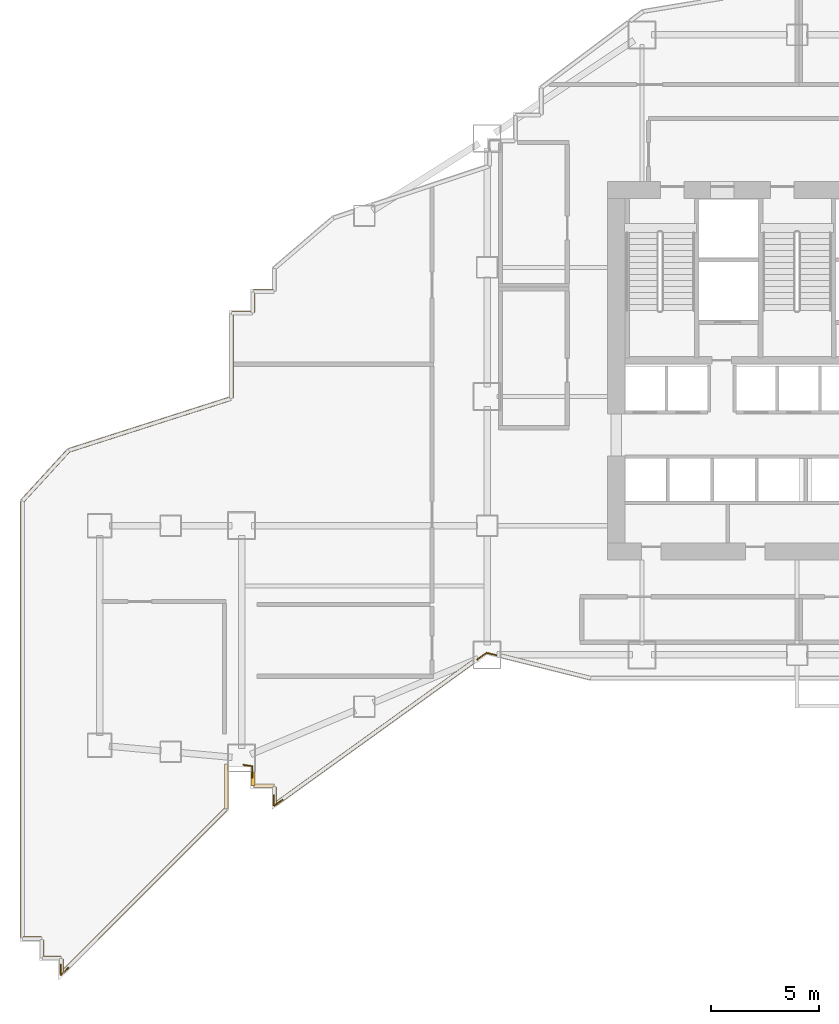
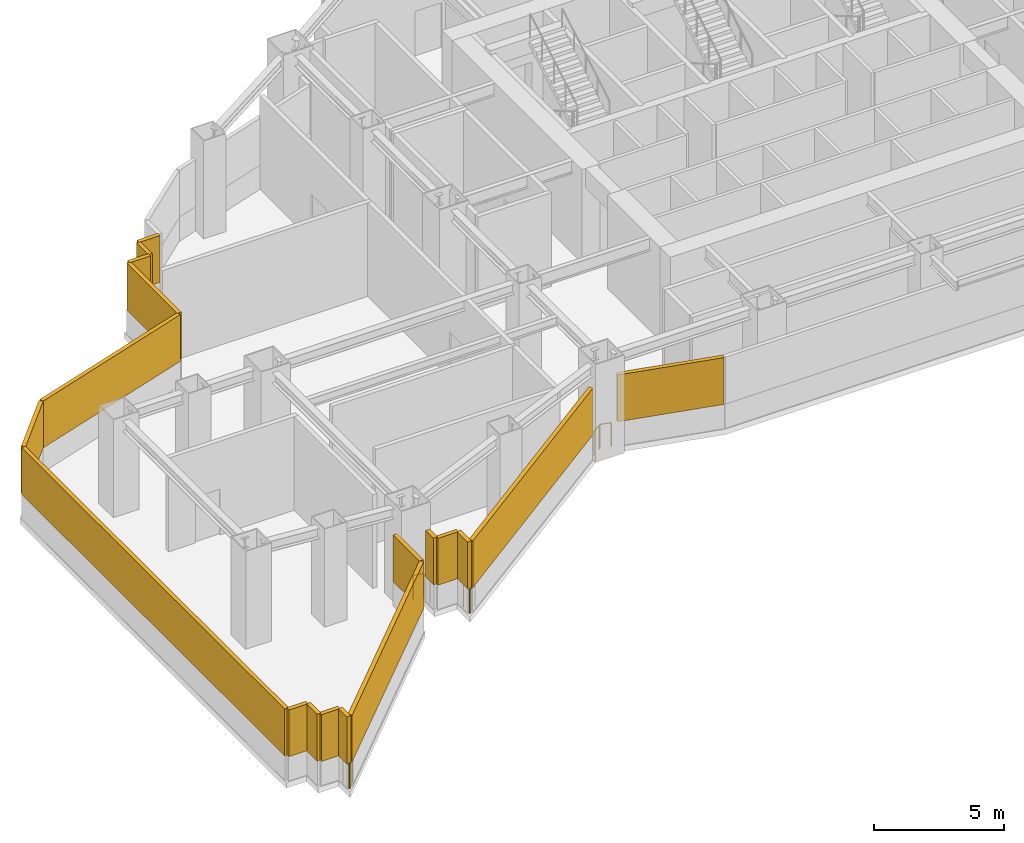
# One storey, part 6 of 12: 18 shading devices, 8 railings.
"""IFC4 building model written with IfcOpenShell, lengths in metres."""

from ifc_helpers import new_model, si_unit, direction, frame, origin, origin_2d, place, context, subcontext, project, spatial, rectangle, circle, extrude, material, type_object, element, save


model = new_model("IFC4")

# Units and contexts
model_context = context("Model", 3, precision=1e-05, world=origin(), true_north=direction((0.0, 1.0)))
body_context = subcontext(model_context, "Body", "Model", "MODEL_VIEW")
ifc_project = project(units=[si_unit("LENGTHUNIT", "METRE"), si_unit("AREAUNIT", "SQUARE_METRE"), si_unit("VOLUMEUNIT", "CUBIC_METRE"), si_unit("PLANEANGLEUNIT", "RADIAN"), si_unit("MASSUNIT", "GRAM", prefix="KILO")], contexts=[model_context])

# Site, building, storey
site_placement = place(None, origin())
site = spatial("IfcSite", under=ifc_project, at=site_placement, CompositionType="ELEMENT")
building_placement = place(site_placement, origin())
building = spatial("IfcBuilding", under=site, at=building_placement, Name="Haolan Belvedere Tower", CompositionType="ELEMENT")
storey_placement = place(building_placement, frame((0.0, 0.0, 43.0)))
storey = spatial("IfcBuildingStorey", under=building, at=storey_placement, Name="L10", CompositionType="ELEMENT", Elevation=43.0)

# Railings
ifc_material_1 = material(Name="Galvanised powder-coated steel guardrail", Category="steel")
railing_type = type_object("IfcRailingType", Name="RL-REF-GRD-1150", PredefinedType="GUARDRAIL", material=ifc_material_1)
railing_1_placement = place(storey_placement, frame((4.54345703125, 7.06591796875, 0.0)))
element("IfcRailing", 1, at=railing_1_placement, inside=storey, type_object=railing_type, Name="L10 refuge corner safety guardrail 1A", PredefinedType="GUARDRAIL", context=body_context, shape_type="SweptSolid", body=[
    extrude(circle(Radius=0.02392578125, at=origin_2d()), frame((0.0, 0.0, 1.1259765625), z_axis=(-0.707106781187, -0.707106781187, 0.0), x_axis=(0.707106781187, -0.707106781187, 0.0)), (0.0, 0.0, 1.0), 0.469970703125),
    extrude(circle(Radius=0.02099609375, at=origin_2d()), origin(), (0.0, 0.0, 1.0), 1.101806640625),
    extrude(circle(Radius=0.02099609375, at=origin_2d()), frame((-0.332275390625, -0.332275390625, 0.0)), (0.0, 0.0, 1.0), 1.101806640625),
])
railing_2_placement = place(storey_placement, frame((4.18994140625, 6.742431640625, 0.0)))
element("IfcRailing", 2, at=railing_2_placement, inside=storey, type_object=railing_type, Name="L10 refuge corner safety guardrail 1B", PredefinedType="GUARDRAIL", context=body_context, shape_type="SweptSolid", body=[
    extrude(circle(Radius=0.02392578125, at=origin_2d()), frame((0.0, 0.0, 1.1259765625), z_axis=(0.0, 1.0, 0.0), x_axis=(-1.0, 0.0, 0.0)), (0.0, 0.0, 1.0), 0.469970703125),
    extrude(circle(Radius=0.02099609375, at=origin_2d()), origin(), (0.0, 0.0, 1.0), 1.101806640625),
    extrude(circle(Radius=0.02099609375, at=origin_2d()), frame((0.0, 0.469970703125, 0.0)), (0.0, 0.0, 1.0), 1.101806640625),
])
railing_3_placement = place(storey_placement, frame((13.090087890625, 15.89990234375, 0.0)))
element("IfcRailing", 3, at=railing_3_placement, inside=storey, type_object=railing_type, Name="L10 refuge corner safety guardrail 2A", PredefinedType="GUARDRAIL", context=body_context, shape_type="SweptSolid", body=[
    extrude(circle(Radius=0.02392578125, at=origin_2d()), frame((0.0, 0.0, 1.1259765625), z_axis=(0.0, 1.0, 0.0), x_axis=(-1.0, 0.0, 0.0)), (0.0, 0.0, 1.0), 0.47021484375),
    extrude(circle(Radius=0.02099609375, at=origin_2d()), origin(), (0.0, 0.0, 1.0), 1.101806640625),
    extrude(circle(Radius=0.02099609375, at=origin_2d()), frame((0.0, 0.47021484375, 0.0)), (0.0, 0.0, 1.0), 1.101806640625),
])
railing_4_placement = place(storey_placement, frame((13.090087890625, 16.429931640625, 0.0)))
element("IfcRailing", 4, at=railing_4_placement, inside=storey, type_object=railing_type, Name="L10 refuge corner safety guardrail 2B", PredefinedType="GUARDRAIL", context=body_context, shape_type="SweptSolid", body=[
    extrude(circle(Radius=0.02392578125, at=origin_2d()), frame((0.0, 0.0, 1.1259765625), z_axis=(-0.989448711979, 0.144883561397, 0.0), x_axis=(-0.144883561397, -0.989448711979, 0.0)), (0.0, 0.0, 1.0), 0.41455078125),
    extrude(circle(Radius=0.02099609375, at=origin_2d()), origin(), (0.0, 0.0, 1.0), 1.101806640625),
    extrude(circle(Radius=0.02099609375, at=origin_2d()), frame((-0.41015625, 0.06005859375, 0.0)), (0.0, 0.0, 1.0), 1.101806640625),
])
railing_5_placement = place(storey_placement, frame((14.495849609375, 14.867919921875, 0.0)))
element("IfcRailing", 5, at=railing_5_placement, inside=storey, type_object=railing_type, Name="L10 refuge corner safety guardrail 3A", PredefinedType="GUARDRAIL", context=body_context, shape_type="SweptSolid", body=[
    extrude(circle(Radius=0.02392578125, at=origin_2d()), frame((0.0, 0.0, 1.1259765625), z_axis=(-0.811622975054, -0.584181603925, 0.0), x_axis=(0.584181603925, -0.811622975054, 0.0)), (0.0, 0.0, 1.0), 0.47021484375),
    extrude(circle(Radius=0.02099609375, at=origin_2d()), origin(), (0.0, 0.0, 1.0), 1.101806640625),
    extrude(circle(Radius=0.02099609375, at=origin_2d()), frame((-0.381591796875, -0.274658203125, 0.0)), (0.0, 0.0, 1.0), 1.101806640625),
])
railing_6_placement = place(storey_placement, frame((14.090087890625, 14.605712890625, 0.0)))
element("IfcRailing", 6, at=railing_6_placement, inside=storey, type_object=railing_type, Name="L10 refuge corner safety guardrail 3B", PredefinedType="GUARDRAIL", context=body_context, shape_type="SweptSolid", body=[
    extrude(circle(Radius=0.02392578125, at=origin_2d()), frame((0.0, 0.0, 1.1259765625), z_axis=(0.0, 1.0, 0.0), x_axis=(-1.0, 0.0, 0.0)), (0.0, 0.0, 1.0), 0.469970703125),
    extrude(circle(Radius=0.02099609375, at=origin_2d()), origin(), (0.0, 0.0, 1.0), 1.101806640625),
    extrude(circle(Radius=0.02099609375, at=origin_2d()), frame((0.0, 0.469970703125, 0.0)), (0.0, 0.0, 1.0), 1.101806640625),
])
railing_7_placement = place(storey_placement, frame((24.42578125, 21.586181640625, 0.0)))
element("IfcRailing", 7, at=railing_7_placement, inside=storey, type_object=railing_type, Name="L10 refuge corner safety guardrail 4A", PredefinedType="GUARDRAIL", context=body_context, shape_type="SweptSolid", body=[
    extrude(circle(Radius=0.02392578125, at=origin_2d()), frame((0.0, 0.0, 1.1259765625), z_axis=(-0.974532291101, 0.224247215372, 0.0), x_axis=(-0.224247215372, -0.974532291101, 0.0)), (0.0, 0.0, 1.0), 0.466064453125),
    extrude(circle(Radius=0.02099609375, at=origin_2d()), origin(), (0.0, 0.0, 1.0), 1.101806640625),
    extrude(circle(Radius=0.02099609375, at=origin_2d()), frame((-0.4541015625, 0.1044921875, 0.0)), (0.0, 0.0, 1.0), 1.101806640625),
])
railing_8_placement = place(storey_placement, frame((23.923095703125, 21.655517578125, 0.0)))
element("IfcRailing", 8, at=railing_8_placement, inside=storey, type_object=railing_type, Name="L10 refuge corner safety guardrail 4B", PredefinedType="GUARDRAIL", context=body_context, shape_type="SweptSolid", body=[
    extrude(circle(Radius=0.02392578125, at=origin_2d()), frame((0.0, 0.0, 1.1259765625), z_axis=(-0.811622975054, -0.584181603925, 0.0), x_axis=(0.584181603925, -0.811622975054, 0.0)), (0.0, 0.0, 1.0), 0.47021484375),
    extrude(circle(Radius=0.02099609375, at=origin_2d()), origin(), (0.0, 0.0, 1.0), 1.101806640625),
    extrude(circle(Radius=0.02099609375, at=origin_2d()), frame((-0.381591796875, -0.274658203125, 0.0)), (0.0, 0.0, 1.0), 1.101806640625),
])

# Shading devices
ifc_material_2 = material(Name="Anodised champagne-silver aluminium 6063-T6", Category="aluminium")
shading_device_type = type_object("IfcShadingDeviceType", Name="SHD-LOUV-180", PredefinedType="JALOUSIE", material=ifc_material_2)
shading_device_1_placement = place(storey_placement, frame((2.8701171875, 8.4150390625, 1.14990234375), z_axis=(0.0, 0.0, 1.0), x_axis=(1.0, 0.0, 0.0)))
element("IfcShadingDevice", 9, at=shading_device_1_placement, inside=storey, type_object=shading_device_type, Name="L10 refuge storm-proof louvre bank 1.1", PredefinedType="JALOUSIE", context=body_context, shape_type="SweptSolid", body=[
    extrude(rectangle(XDim=0.860107421875, YDim=0.179931640625, at=origin_2d()), origin(), (0.0, 0.0, 1.0), 2.199951171875),
])
for number, where, z_axis, x_axis, name in (
    (10, (3.320068359375, 7.949951171875, 1.14990234375), (0.0, 0.0, 1.0), (0.0, -1.0, 0.0), "L10 refuge storm-proof louvre bank 2.1"),
    (11, (3.784912109375, 7.514892578125, 1.14990234375), (0.0, 0.0, 1.0), (1.0, 0.0, 0.0), "L10 refuge storm-proof louvre bank 3.1"),
):
    element("IfcShadingDevice", number, at=place(storey_placement, frame(where, z_axis=z_axis, x_axis=x_axis)), inside=storey, type_object=shading_device_type, Name=name, PredefinedType="JALOUSIE", context=body_context, shape_type="SweptSolid", body=[
        extrude(rectangle(XDim=0.830078125, YDim=0.179931640625, at=origin_2d()), origin(), (0.0, 0.0, 1.0), 2.199951171875),
    ])
shading_device_2_placement = place(storey_placement, frame((4.219970703125, 7.135009765625, 1.14990234375), z_axis=(0.0, 0.0, 1.0), x_axis=(0.0, -1.0, 0.0)))
element("IfcShadingDevice", 12, at=shading_device_2_placement, inside=storey, type_object=shading_device_type, Name="L10 refuge storm-proof louvre bank 4.1", PredefinedType="JALOUSIE", context=body_context, shape_type="SweptSolid", body=[
    extrude(rectangle(XDim=0.66015625, YDim=0.179931640625, at=origin_2d()), origin(), (0.0, 0.0, 1.0), 2.199951171875),
])
shading_device_3_placement = place(storey_placement, frame((8.09228515625, 10.65966796875, 1.14990234375), z_axis=(0.0, 0.0, 1.0), x_axis=(0.706884602149, 0.707328890435, 0.0)))
element("IfcShadingDevice", 13, at=shading_device_3_placement, inside=storey, type_object=shading_device_type, Name="L10 refuge storm-proof louvre bank 5.1", PredefinedType="JALOUSIE", context=body_context, shape_type="SweptSolid", body=[
    extrude(rectangle(XDim=10.67626953125, YDim=0.179931640625, at=origin_2d()), origin(), (0.0, 0.0, 1.0), 2.199951171875),
])
shading_device_4_placement = place(storey_placement, frame((11.8798828125, 15.48486328125, 1.14990234375), z_axis=(0.0, 0.0, 1.0), x_axis=(0.0, 1.0, 0.0)))
element("IfcShadingDevice", 14, at=shading_device_4_placement, inside=storey, type_object=shading_device_type, Name="L10 refuge storm-proof louvre bank 6.1", PredefinedType="JALOUSIE", context=body_context, shape_type="SweptSolid", body=[
    extrude(rectangle(XDim=2.0302734375, YDim=0.179931640625, at=origin_2d()), origin(), (0.0, 0.0, 1.0), 2.199951171875),
])
shading_device_5_placement = place(storey_placement, frame((13.1201171875, 15.839111328125, 1.14990234375), z_axis=(0.0, 0.0, 1.0), x_axis=(0.0, -1.0, 0.0)))
element("IfcShadingDevice", 15, at=shading_device_5_placement, inside=storey, type_object=shading_device_type, Name="L10 refuge storm-proof louvre bank 8.1", PredefinedType="JALOUSIE", context=body_context, shape_type="SweptSolid", body=[
    extrude(rectangle(XDim=0.597900390625, YDim=0.179931640625, at=origin_2d()), origin(), (0.0, 0.0, 1.0), 2.199951171875),
])
shading_device_6_placement = place(storey_placement, frame((13.635009765625, 15.52001953125, 1.14990234375), z_axis=(0.0, 0.0, 1.0), x_axis=(1.0, 0.0, 0.0)))
element("IfcShadingDevice", 16, at=shading_device_6_placement, inside=storey, type_object=shading_device_type, Name="L10 refuge storm-proof louvre bank 9.1", PredefinedType="JALOUSIE", context=body_context, shape_type="SweptSolid", body=[
    extrude(rectangle(XDim=0.929931640625, YDim=0.179931640625, at=origin_2d()), origin(), (0.0, 0.0, 1.0), 2.199951171875),
])
shading_device_7_placement = place(storey_placement, frame((14.1201171875, 15.06201171875, 1.14990234375), z_axis=(0.0, 0.0, 1.0), x_axis=(0.0, -1.0, 0.0)))
element("IfcShadingDevice", 17, at=shading_device_7_placement, inside=storey, type_object=shading_device_type, Name="L10 refuge storm-proof louvre bank 10.1", PredefinedType="JALOUSIE", context=body_context, shape_type="SweptSolid", body=[
    extrude(rectangle(XDim=0.815673828125, YDim=0.179931640625, at=origin_2d()), origin(), (0.0, 0.0, 1.0), 2.199951171875),
])
shading_device_8_placement = place(storey_placement, frame((18.775390625, 17.986083984375, 1.14990234375), z_axis=(0.0, 0.0, 1.0), x_axis=(0.811543389612, 0.584292158751, 0.0)))
element("IfcShadingDevice", 18, at=shading_device_8_placement, inside=storey, type_object=shading_device_type, Name="L10 refuge storm-proof louvre bank 11.1", PredefinedType="JALOUSIE", context=body_context, shape_type="SweptSolid", body=[
    extrude(rectangle(XDim=11.25341796875, YDim=0.179931640625, at=origin_2d()), origin(), (0.0, 0.0, 1.0), 2.199951171875),
])
shading_device_9_placement = place(storey_placement, frame((26.728515625, 21.04150390625, 1.14990234375), z_axis=(0.0, 0.0, 1.0), x_axis=(0.970143530747, -0.242531502591, 0.0)))
element("IfcShadingDevice", 19, at=shading_device_9_placement, inside=storey, type_object=shading_device_type, Name="L10 refuge storm-proof louvre bank 12.1", PredefinedType="JALOUSIE", context=body_context, shape_type="SweptSolid", body=[
    extrude(rectangle(XDim=4.26123046875, YDim=0.179931640625, at=origin_2d()), origin(), (0.0, 0.0, 1.0), 2.199951171875),
])
for number, where, z_axis, x_axis, name in (
    (20, (13.60498046875, 38.47998046875, 1.14990234375), (0.0, 0.0, 1.0), (-1.0, 0.0, 0.0), "L10 refuge storm-proof louvre bank 53.1"),
    (21, (13.1201171875, 37.965087890625, 1.14990234375), (0.0, 0.0, 1.0), (0.0, -1.0, 0.0), "L10 refuge storm-proof louvre bank 54.1"),
    (22, (12.60498046875, 37.47998046875, 1.14990234375), (0.0, 0.0, 1.0), (-1.0, 0.0, 0.0), "L10 refuge storm-proof louvre bank 55.1"),
):
    element("IfcShadingDevice", number, at=place(storey_placement, frame(where, z_axis=z_axis, x_axis=x_axis)), inside=storey, type_object=shading_device_type, Name=name, PredefinedType="JALOUSIE", context=body_context, shape_type="SweptSolid", body=[
        extrude(rectangle(XDim=0.929931640625, YDim=0.179931640625, at=origin_2d()), origin(), (0.0, 0.0, 1.0), 2.199951171875),
    ])
shading_device_10_placement = place(storey_placement, frame((12.1201171875, 35.481201171875, 1.14990234375), z_axis=(0.0, 0.0, 1.0), x_axis=(0.0, -1.0, 0.0)))
element("IfcShadingDevice", 23, at=shading_device_10_placement, inside=storey, type_object=shading_device_type, Name="L10 refuge storm-proof louvre bank 56.1", PredefinedType="JALOUSIE", context=body_context, shape_type="SweptSolid", body=[
    extrude(rectangle(XDim=3.897705078125, YDim=0.179931640625, at=origin_2d()), origin(), (0.0, 0.0, 1.0), 2.199951171875),
])
shading_device_11_placement = place(storey_placement, frame((8.3291015625, 32.29931640625, 1.14990234375), z_axis=(0.0, 0.0, 1.0), x_axis=(-0.952422400446, -0.304781185655, 0.0)))
element("IfcShadingDevice", 24, at=shading_device_11_placement, inside=storey, type_object=shading_device_type, Name="L10 refuge storm-proof louvre bank 57.1", PredefinedType="JALOUSIE", context=body_context, shape_type="SweptSolid", body=[
    extrude(rectangle(XDim=7.8603515625, YDim=0.179931640625, at=origin_2d()), origin(), (0.0, 0.0, 1.0), 2.199951171875),
])
shading_device_12_placement = place(storey_placement, frame((3.493408203125, 29.92431640625, 1.14990234375), z_axis=(0.0, 0.0, 1.0), x_axis=(-0.675718876495, -0.737159412846, 0.0)))
element("IfcShadingDevice", 25, at=shading_device_12_placement, inside=storey, type_object=shading_device_type, Name="L10 refuge storm-proof louvre bank 58.1", PredefinedType="JALOUSIE", context=body_context, shape_type="SweptSolid", body=[
    extrude(rectangle(XDim=3.13720703125, YDim=0.179931640625, at=origin_2d()), origin(), (0.0, 0.0, 1.0), 2.199951171875),
])
shading_device_13_placement = place(storey_placement, frame((2.419921875, 18.59912109375, 1.14990234375), z_axis=(0.0, 0.0, 1.0), x_axis=(0.0, -1.0, 0.0)))
element("IfcShadingDevice", 26, at=shading_device_13_placement, inside=storey, type_object=shading_device_type, Name="L10 refuge storm-proof louvre bank 59.1", PredefinedType="JALOUSIE", context=body_context, shape_type="SweptSolid", body=[
    extrude(rectangle(XDim=20.268310546875, YDim=0.179931640625, at=origin_2d()), origin(), (0.0, 0.0, 1.0), 2.199951171875),
])

save(model, "model.ifc")
